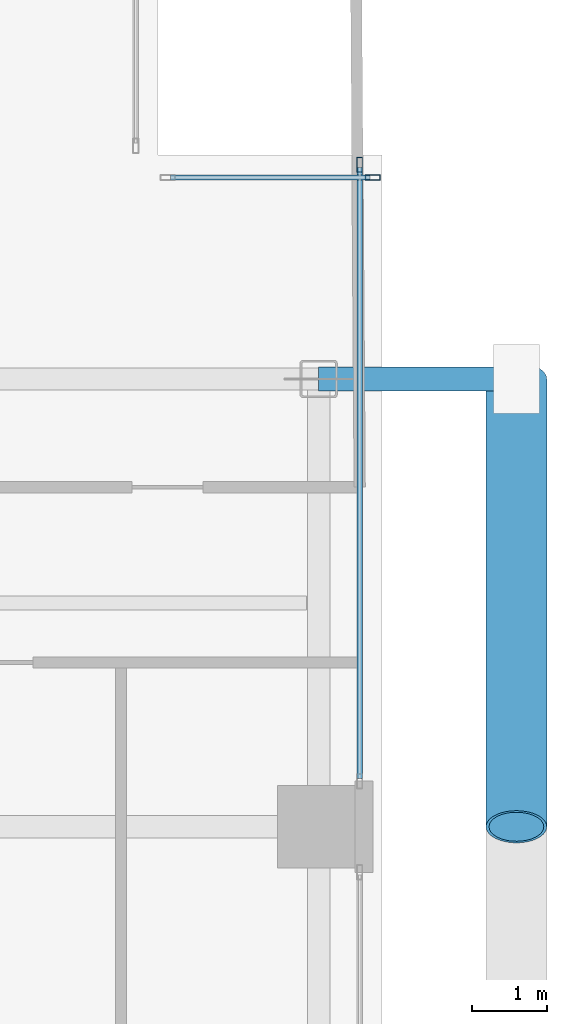
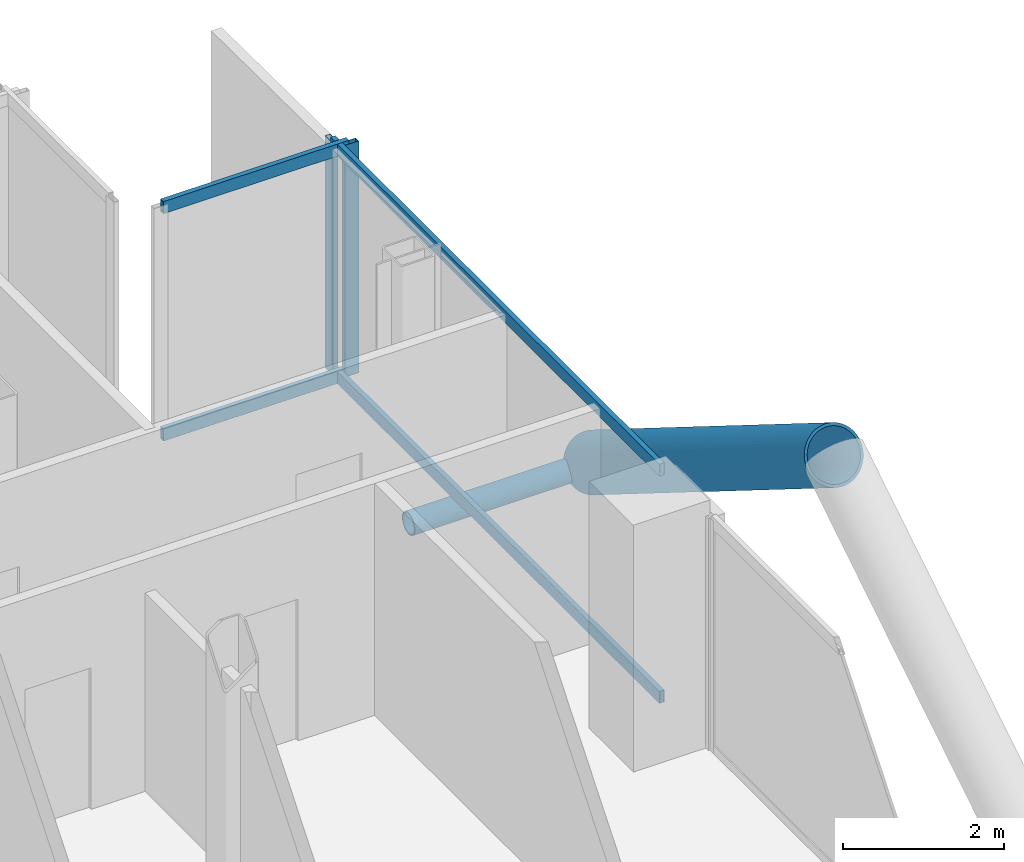
# One storey, part 13 of 24: 8 members, 2 elements without a shape of their own.
"""IFC4 building model written with IfcOpenShell, lengths in metres."""

from ifc_helpers import new_model, si_unit, direction, frame, origin, origin_2d, place, context, subcontext, project, spatial, hollow_rectangle, hollow_circle, extrude, material, layer, layer_set, material_profile, profile_set, type_object, element, aggregate, save


model = new_model("IFC4")

# Units and contexts
model_context = context("Model", 3, precision=1e-05, world=origin(), true_north=direction((0.0, 1.0)))
body_context = subcontext(model_context, "Body", "Model", "MODEL_VIEW")
ifc_project = project(units=[si_unit("LENGTHUNIT", "METRE"), si_unit("AREAUNIT", "SQUARE_METRE"), si_unit("VOLUMEUNIT", "CUBIC_METRE"), si_unit("PLANEANGLEUNIT", "RADIAN"), si_unit("MASSUNIT", "GRAM", prefix="KILO"), si_unit("THERMODYNAMICTEMPERATUREUNIT", "KELVIN"), si_unit("POWERUNIT", "WATT")], contexts=[model_context])

# Site, building, storey
site_placement = place(None, origin())
site = spatial("IfcSite", under=ifc_project, at=site_placement, CompositionType="ELEMENT")
building_placement = place(site_placement, origin())
building = spatial("IfcBuilding", under=site, at=building_placement, Name="Svarakhadi Broadcast Tower", CompositionType="ELEMENT")
storey_placement = place(building_placement, frame((0.0, 0.0, 156.89990234375)))
storey = spatial("IfcBuildingStorey", under=building, at=storey_placement, Name="L38", CompositionType="ELEMENT", Elevation=156.89990234375)

# Curtain wall, member
ifc_material_1 = material(Name="Anodised Bronze Aluminium AA 6063-T6", Category="aluminium")
ifc_layer = layer(ifc_material_1, 0.199951171875)
ifc_layer_set = layer_set([ifc_layer], Name="Anodised Bronze Aluminium AA 6063-T6")
curtain_wall_type = type_object("IfcCurtainWallType", Name="CW_Sys_03", PredefinedType="NOTDEFINED", material=ifc_layer_set)
curtain_wall_1_placement = place(storey_placement, origin())
curtain_wall_1 = element("IfcCurtainWall", 1, at=curtain_wall_1_placement, inside=storey, type_object=curtain_wall_type, Name="L38 Unitised Facade Curtain Wall 12", PredefinedType="NOTDEFINED")
ifc_material_profile_1 = material_profile(ifc_material_1, hollow_rectangle(XDim=0.074951171875, YDim=0.199951171875, WallThickness=0.005615234375, at=origin_2d()), Name="ALU MULLION 200x75x6")
ifc_profile_set_1 = profile_set([ifc_material_profile_1], Name="Anodised Bronze Aluminium AA 6063-T6")
member_type_1 = type_object("IfcMemberType", Name="CW_Sys_03_Mul", PredefinedType="MULLION", material=ifc_profile_set_1)
member_1_placement = place(storey_placement, frame((47.87255859375, 20.699951171875, 0.0), z_axis=(0.0, 0.0, 1.0), x_axis=(0.0, 1.0, 0.0)))
member_1 = element("IfcMember", 2, at=member_1_placement, type_object=member_type_1, Name="CW-03 mullion 2", PredefinedType="MULLION", context=body_context, shape_type="SweptSolid", body=[
    extrude(hollow_rectangle(XDim=0.074951171875, YDim=0.199951171875, WallThickness=0.005615234375, at=origin_2d()), origin(), (0.0, 0.0, 1.0), 3.525146484375),
])

curtain_wall_2_placement = place(storey_placement, origin())
curtain_wall_2 = element("IfcCurtainWall", 3, at=curtain_wall_2_placement, inside=storey, type_object=curtain_wall_type, Name="L38 Unitised Facade Curtain Wall 13 Bay 1", PredefinedType="NOTDEFINED")
member_2_placement = place(storey_placement, frame((47.699951171875, 20.87255859375, 0.0), z_axis=(0.0, 0.0, 1.0), x_axis=(1.0, 0.0, 0.0)))
member_2 = element("IfcMember", 4, at=member_2_placement, type_object=member_type_1, Name="CW-03 mullion 1", PredefinedType="MULLION", context=body_context, shape_type="SweptSolid", body=[
    extrude(hollow_rectangle(XDim=0.074951171875, YDim=0.199951171875, WallThickness=0.005615234375, at=origin_2d()), origin(), (0.0, 0.0, 1.0), 3.525146484375),
])

# Member
ifc_material_profile_2 = material_profile(ifc_material_1, hollow_rectangle(XDim=0.070068359375, YDim=0.18505859375, WallThickness=0.0048828125, at=origin_2d()), Name="ALU TRANSOM 185x70x5")
ifc_profile_set_2 = profile_set([ifc_material_profile_2], Name="Anodised Bronze Aluminium AA 6063-T6")
member_type_2 = type_object("IfcMemberType", Name="CW_Sys_03_Trn", PredefinedType="USERDEFINED", material=ifc_profile_set_2)
member_3_placement = place(storey_placement, frame((45.1650390625, 20.699951171875, 0.03515625), z_axis=(1.0, 0.0, 0.0), x_axis=(0.0, 1.0, 0.0)))
member_3 = element("IfcMember", 5, at=member_3_placement, type_object=member_type_2, Name="CW-03 transom 1.1", ObjectType="TRANSOM", PredefinedType="USERDEFINED", context=body_context, shape_type="SweptSolid", body=[
    extrude(hollow_rectangle(XDim=0.070068359375, YDim=0.18505859375, WallThickness=0.0048828125, at=origin_2d()), origin(), (0.0, 0.0, 1.0), 2.669921875),
])

member_4_placement = place(storey_placement, frame((45.1650390625, 20.699951171875, 3.489990234375), z_axis=(1.0, 0.0, 0.0), x_axis=(0.0, 1.0, 0.0)))
member_4 = element("IfcMember", 6, at=member_4_placement, type_object=member_type_2, Name="CW-03 transom 1.2", ObjectType="TRANSOM", PredefinedType="USERDEFINED", context=body_context, shape_type="SweptSolid", body=[
    extrude(hollow_rectangle(XDim=0.070068359375, YDim=0.18505859375, WallThickness=0.0048828125, at=origin_2d()), origin(), (0.0, 0.0, 1.0), 2.669921875),
])

aggregate(curtain_wall_1, [member_1, member_3, member_4])

member_5_placement = place(storey_placement, frame((47.699951171875, 20.8349609375, 0.03515625), z_axis=(0.0, -1.0, 0.0), x_axis=(1.0, 0.0, 0.0)))
member_5 = element("IfcMember", 7, at=member_5_placement, type_object=member_type_2, Name="CW-03 transom 1.1", ObjectType="TRANSOM", PredefinedType="USERDEFINED", context=body_context, shape_type="SweptSolid", body=[
    extrude(hollow_rectangle(XDim=0.070068359375, YDim=0.18505859375, WallThickness=0.0048828125, at=origin_2d()), origin(), (0.0, 0.0, 1.0), 8.18994140625),
])

member_6_placement = place(storey_placement, frame((47.699951171875, 20.8349609375, 3.489990234375), z_axis=(0.0, -1.0, 0.0), x_axis=(1.0, 0.0, 0.0)))
member_6 = element("IfcMember", 8, at=member_6_placement, type_object=member_type_2, Name="CW-03 transom 1.2", ObjectType="TRANSOM", PredefinedType="USERDEFINED", context=body_context, shape_type="SweptSolid", body=[
    extrude(hollow_rectangle(XDim=0.070068359375, YDim=0.18505859375, WallThickness=0.0048828125, at=origin_2d()), origin(), (0.0, 0.0, 1.0), 8.18994140625),
])

aggregate(curtain_wall_2, [member_2, member_5, member_6])

# Members
ifc_material_2 = material(Name="Steel S460ML (IS 2062 E450BR)", Category="steel")
ifc_material_profile_3 = material_profile(ifc_material_2, hollow_circle(Radius=0.406494140625, WallThickness=0.0400390625, at=origin_2d()), Name="CHS 813x40")
ifc_profile_set_3 = profile_set([ifc_material_profile_3], Name="Steel S460ML (IS 2062 E450BR)")
member_type_3 = type_object("IfcMemberType", Name="Exo_Brace_CHS813", PredefinedType="BRACE", material=ifc_profile_set_3)
member_7_placement = place(storey_placement, frame((49.800048828125, 18.0, -0.386962890625), z_axis=(0.0, -0.847998304005, 0.529998940003), x_axis=(1.0, 0.0, 0.0)))
element("IfcMember", 9, at=member_7_placement, inside=storey, type_object=member_type_3, Name="L38 Exposed Bronze Exoskeleton Diagonal E07", PredefinedType="BRACE", context=body_context, shape_type="SweptSolid", body=[
    extrude(hollow_circle(Radius=0.406494140625, WallThickness=0.0400390625, at=origin_2d()), origin(), (0.0, 0.0, 1.0), 7.075439453125),
])
ifc_material_profile_4 = material_profile(ifc_material_2, hollow_circle(Radius=0.161865234375, WallThickness=0.01611328125, at=origin_2d()), Name="CHS 323.9x16")
ifc_profile_set_4 = profile_set([ifc_material_profile_4], Name="Steel S460ML (IS 2062 E450BR)")
member_type_4 = type_object("IfcMemberType", Name="Exo_Radial_Strut_Z2", PredefinedType="STRUT", material=ifc_profile_set_4)
member_8_placement = place(storey_placement, frame((49.800048828125, 18.0, -0.386962890625), z_axis=(-1.0, 0.0, 0.0), x_axis=(0.0, -1.0, 0.0)))
element("IfcMember", 10, at=member_8_placement, inside=storey, type_object=member_type_4, Name="L38 Exoskeleton Radial Tie Strut E09", PredefinedType="STRUT", context=body_context, shape_type="SweptSolid", body=[
    extrude(hollow_circle(Radius=0.161865234375, WallThickness=0.01611328125, at=origin_2d()), origin(), (0.0, 0.0, 1.0), 2.650146484375),
])

save(model, "model.ifc")
